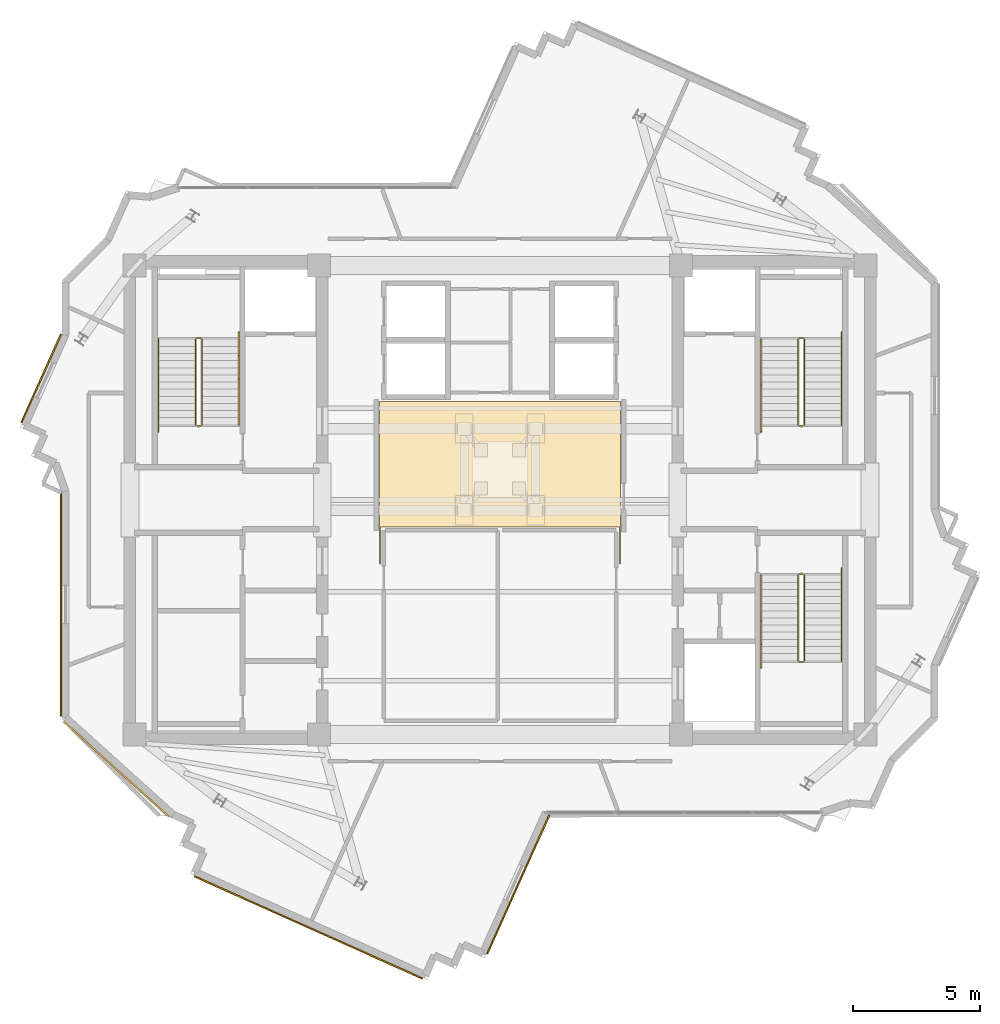
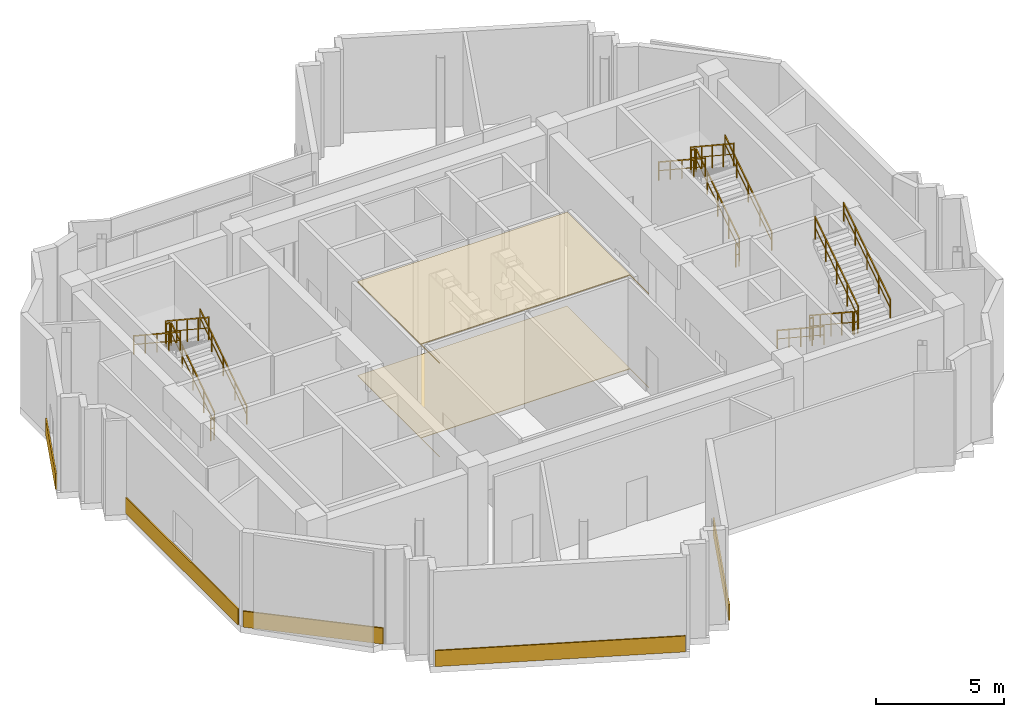
# One storey, part 10 of 11: 18 railings, 7 coverings.
"""IFC4 building model written with IfcOpenShell, lengths in metres."""

from ifc_helpers import new_model, si_unit, direction, frame, origin, origin_2d, place, context, subcontext, project, spatial, polyline, rectangle, outline, extrude, source, transform, mapped, material, layer, layer_set, type_object, element, save


model = new_model("IFC4")

# Units and contexts
model_context = context("Model", 3, precision=1e-05, world=origin(), true_north=direction((0.0, 1.0)))
body_context = subcontext(model_context, "Body", "Model", "MODEL_VIEW")
ifc_project = project(units=[si_unit("LENGTHUNIT", "METRE"), si_unit("AREAUNIT", "SQUARE_METRE"), si_unit("VOLUMEUNIT", "CUBIC_METRE"), si_unit("PLANEANGLEUNIT", "RADIAN"), si_unit("MASSUNIT", "GRAM", prefix="KILO")], contexts=[model_context])

# Site, building, storey
site_placement = place(None, origin())
site = spatial("IfcSite", under=ifc_project, at=site_placement, CompositionType="ELEMENT")
building_placement = place(site_placement, origin())
building = spatial("IfcBuilding", under=site, at=building_placement, Name="Zahravan Cultural Tower", CompositionType="ELEMENT")
storey_placement = place(building_placement, frame((0.0, 0.0, 361.050048828125)))
storey = spatial("IfcBuildingStorey", under=building, at=storey_placement, Name="L88", CompositionType="ELEMENT", Elevation=361.050048828125)

# Coverings
ifc_material_1 = material(Name="Acoustic mineral fibreboard")
ifc_layer_1 = layer(ifc_material_1, 0.0400390625)
ifc_layer_set_1 = layer_set([ifc_layer_1], Name="Acoustic mineral fibreboard")
covering_type_1 = type_object("IfcCoveringType", Name="COV-CEIL-AC20", PredefinedType="CEILING", material=ifc_layer_set_1)
covering_1_placement = place(storey_placement, frame((0.0, 0.0, 4.4599609375)))
element("IfcCovering", 1, at=covering_1_placement, inside=storey, type_object=covering_type_1, Name="L88 Acoustic Suspended Ceiling", PredefinedType="CEILING", context=body_context, shape_type="SweptSolid", body=[
    extrude(outline(polyline([(31.300048828125, 25.949951171875), (40.699951171875, 25.949951171875), (40.699951171875, 24.47998046875), (40.719970703125, 24.47998046875), (40.719970703125, 30.8701171875), (31.280029296875, 30.8701171875), (31.280029296875, 24.47998046875), (31.300048828125, 24.47998046875), (31.300048828125, 25.949951171875)])), origin(), (0.0, 0.0, 1.0), 0.0400390625),
])
ifc_material_2 = material(Name="Terrazzo flooring")
ifc_layer_2 = layer(ifc_material_2, 0.02490234375)
ifc_layer_set_2 = layer_set([ifc_layer_2], Name="Terrazzo flooring")
covering_type_2 = type_object("IfcCoveringType", Name="COV-FLR-TZ25", PredefinedType="FLOORING", material=ifc_layer_set_2)
covering_2_placement = place(storey_placement, origin())
element("IfcCovering", 2, at=covering_2_placement, inside=storey, type_object=covering_type_2, Name="L88 Polished Terrazzo Flooring", PredefinedType="FLOORING", context=body_context, shape_type="SweptSolid", body=[
    extrude(outline(polyline([(31.300048828125, 25.949951171875), (40.699951171875, 25.949951171875), (40.699951171875, 24.47998046875), (40.719970703125, 24.47998046875), (40.719970703125, 30.8701171875), (31.280029296875, 30.8701171875), (31.280029296875, 24.47998046875), (31.300048828125, 24.47998046875), (31.300048828125, 25.949951171875)])), origin(), (0.0, 0.0, 1.0), 0.02490234375),
])

# Railings
ifc_material_3 = material(Name="Steel ASTM A572 Grade 50", Category="steel")
railing_type_1 = type_object("IfcRailingType", Name="RL-STAIR-GRD1150", PredefinedType="BALUSTRADE", material=ifc_material_3)
railing_1_placement = place(storey_placement, frame((24.300048828125, 29.949951171875, 0.1845703125)))
element("IfcRailing", 3, at=railing_1_placement, inside=storey, type_object=railing_type_1, Name="L88 ST-W1 stair guard 1", PredefinedType="BALUSTRADE", context=body_context, shape_type="SweptSolid", body=[
    extrude(rectangle(XDim=0.05, YDim=0.05, at=origin_2d()), frame((0.0, 0.0, 1.0751953125), z_axis=(0.0, 0.834876476806, 0.550437342915), x_axis=(-1.0, 0.0, 0.0)), (0.0, 0.0, 1.0), 4.024658203125),
    extrude(rectangle(XDim=0.032, YDim=0.032, at=origin_2d()), frame((0.0, 0.0, 0.572021484375), z_axis=(0.0, 0.834876476806, 0.550437342915), x_axis=(-1.0, 0.0, 0.0)), (0.0, 0.0, 1.0), 4.024658203125),
    extrude(rectangle(XDim=0.04, YDim=0.04, at=origin_2d()), origin(), (0.0, 0.0, 1.0), 1.10009765625),
    extrude(rectangle(XDim=0.04, YDim=0.04, at=origin_2d()), frame((0.0, 0.840087890625, 0.5537109375)), (0.0, 0.0, 1.0), 1.10009765625),
    extrude(rectangle(XDim=0.04, YDim=0.04, at=origin_2d()), frame((0.0, 1.68017578125, 1.107666015625)), (0.0, 0.0, 1.0), 1.10009765625),
    extrude(rectangle(XDim=0.04, YDim=0.04, at=origin_2d()), frame((0.0, 2.52001953125, 1.66162109375)), (0.0, 0.0, 1.0), 1.10009765625),
    extrude(rectangle(XDim=0.04, YDim=0.04, at=origin_2d()), frame((0.0, 3.360107421875, 2.21533203125)), (0.0, 0.0, 1.0), 1.10009765625),
])
railing_2_placement = place(storey_placement, frame((24.25, 33.360107421875, 2.39990234375)))
element("IfcRailing", 4, at=railing_2_placement, inside=storey, type_object=railing_type_1, Name="L88 ST-W1 stair guard 2", PredefinedType="BALUSTRADE", context=body_context, shape_type="SweptSolid", body=[
    extrude(rectangle(XDim=0.05, YDim=0.05, at=origin_2d()), frame((0.0, 0.0, 1.0751953125), z_axis=(-1.0, 0.0, 0.0), x_axis=(0.0, -1.0, 0.0)), (0.0, 0.0, 1.0), 0.14990234375),
    extrude(rectangle(XDim=0.032, YDim=0.032, at=origin_2d()), frame((0.0, 0.0, 0.572021484375), z_axis=(-1.0, 0.0, 0.0), x_axis=(0.0, -1.0, 0.0)), (0.0, 0.0, 1.0), 0.14990234375),
    extrude(rectangle(XDim=0.04, YDim=0.04, at=origin_2d()), origin(), (0.0, 0.0, 1.0), 1.10009765625),
    extrude(rectangle(XDim=0.04, YDim=0.04, at=origin_2d()), frame((-0.14990234375, 0.0, 0.0)), (0.0, 0.0, 1.0), 1.10009765625),
])
railing_3_placement = place(storey_placement, frame((24.050048828125, 33.31005859375, 2.58447265625)))
element("IfcRailing", 5, at=railing_3_placement, inside=storey, type_object=railing_type_1, Name="L88 ST-W1 stair guard 3", PredefinedType="BALUSTRADE", context=body_context, shape_type="SweptSolid", body=[
    extrude(rectangle(XDim=0.05, YDim=0.05, at=origin_2d()), frame((0.0, 0.0, 1.0751953125), z_axis=(0.0, -0.834848600103, 0.550479622607), x_axis=(1.0, 0.0, 0.0)), (0.0, 0.0, 1.0), 4.02490234375),
    extrude(rectangle(XDim=0.032, YDim=0.032, at=origin_2d()), frame((0.0, 0.0, 0.572021484375), z_axis=(0.0, -0.834848600103, 0.550479622607), x_axis=(1.0, 0.0, 0.0)), (0.0, 0.0, 1.0), 4.02490234375),
    extrude(rectangle(XDim=0.04, YDim=0.04, at=origin_2d()), origin(), (0.0, 0.0, 1.0), 1.10009765625),
    extrude(rectangle(XDim=0.04, YDim=0.04, at=origin_2d()), frame((0.0, -0.840087890625, 0.553955078125)), (0.0, 0.0, 1.0), 1.10009765625),
    extrude(rectangle(XDim=0.04, YDim=0.04, at=origin_2d()), frame((0.0, -1.68017578125, 1.10791015625)), (0.0, 0.0, 1.0), 1.10009765625),
    extrude(rectangle(XDim=0.04, YDim=0.04, at=origin_2d()), frame((0.0, -2.52001953125, 1.66162109375)), (0.0, 0.0, 1.0), 1.10009765625),
    extrude(rectangle(XDim=0.04, YDim=0.04, at=origin_2d()), frame((0.0, -3.360107421875, 2.215576171875)), (0.0, 0.0, 1.0), 1.10009765625),
])
railing_4_placement = place(storey_placement, frame((24.25, 29.89990234375, 0.0)))
element("IfcRailing", 6, at=railing_4_placement, inside=storey, type_object=railing_type_1, Name="L88 ST-W1 stair guard 4", PredefinedType="BALUSTRADE", context=body_context, shape_type="SweptSolid", body=[
    extrude(rectangle(XDim=0.05, YDim=0.05, at=origin_2d()), frame((0.0, 0.0, 1.0751953125), z_axis=(-1.0, 0.0, 0.0), x_axis=(0.0, -1.0, 0.0)), (0.0, 0.0, 1.0), 0.14990234375),
    extrude(rectangle(XDim=0.032, YDim=0.032, at=origin_2d()), frame((0.0, 0.0, 0.572021484375), z_axis=(-1.0, 0.0, 0.0), x_axis=(0.0, -1.0, 0.0)), (0.0, 0.0, 1.0), 0.14990234375),
    extrude(rectangle(XDim=0.04, YDim=0.04, at=origin_2d()), origin(), (0.0, 0.0, 1.0), 1.10009765625),
    extrude(rectangle(XDim=0.04, YDim=0.04, at=origin_2d()), frame((-0.14990234375, 0.0, 0.0)), (0.0, 0.0, 1.0), 1.10009765625),
])
railing_5_placement = place(storey_placement, frame((47.949951171875, 29.949951171875, 0.1845703125)))
element("IfcRailing", 7, at=railing_5_placement, inside=storey, type_object=railing_type_1, Name="L88 ST-E1 stair guard 1", PredefinedType="BALUSTRADE", context=body_context, shape_type="SweptSolid", body=[
    extrude(rectangle(XDim=0.05, YDim=0.05, at=origin_2d()), frame((0.0, 0.0, 1.0751953125), z_axis=(0.0, 0.834876476806, 0.550437342915), x_axis=(-1.0, 0.0, 0.0)), (0.0, 0.0, 1.0), 4.024658203125),
    extrude(rectangle(XDim=0.032, YDim=0.032, at=origin_2d()), frame((0.0, 0.0, 0.572021484375), z_axis=(0.0, 0.834876476806, 0.550437342915), x_axis=(-1.0, 0.0, 0.0)), (0.0, 0.0, 1.0), 4.024658203125),
    extrude(rectangle(XDim=0.04, YDim=0.04, at=origin_2d()), origin(), (0.0, 0.0, 1.0), 1.10009765625),
    extrude(rectangle(XDim=0.04, YDim=0.04, at=origin_2d()), frame((0.0, 0.840087890625, 0.5537109375)), (0.0, 0.0, 1.0), 1.10009765625),
    extrude(rectangle(XDim=0.04, YDim=0.04, at=origin_2d()), frame((0.0, 1.68017578125, 1.107666015625)), (0.0, 0.0, 1.0), 1.10009765625),
    extrude(rectangle(XDim=0.04, YDim=0.04, at=origin_2d()), frame((0.0, 2.52001953125, 1.66162109375)), (0.0, 0.0, 1.0), 1.10009765625),
    extrude(rectangle(XDim=0.04, YDim=0.04, at=origin_2d()), frame((0.0, 3.360107421875, 2.21533203125)), (0.0, 0.0, 1.0), 1.10009765625),
])
railing_6_placement = place(storey_placement, frame((47.89990234375, 33.360107421875, 2.39990234375)))
element("IfcRailing", 8, at=railing_6_placement, inside=storey, type_object=railing_type_1, Name="L88 ST-E1 stair guard 2", PredefinedType="BALUSTRADE", context=body_context, shape_type="SweptSolid", body=[
    extrude(rectangle(XDim=0.05, YDim=0.05, at=origin_2d()), frame((0.0, 0.0, 1.0751953125), z_axis=(-1.0, 0.0, 0.0), x_axis=(0.0, -1.0, 0.0)), (0.0, 0.0, 1.0), 0.14990234375),
    extrude(rectangle(XDim=0.032, YDim=0.032, at=origin_2d()), frame((0.0, 0.0, 0.572021484375), z_axis=(-1.0, 0.0, 0.0), x_axis=(0.0, -1.0, 0.0)), (0.0, 0.0, 1.0), 0.14990234375),
    extrude(rectangle(XDim=0.04, YDim=0.04, at=origin_2d()), origin(), (0.0, 0.0, 1.0), 1.10009765625),
    extrude(rectangle(XDim=0.04, YDim=0.04, at=origin_2d()), frame((-0.14990234375, 0.0, 0.0)), (0.0, 0.0, 1.0), 1.10009765625),
])
railing_7_placement = place(storey_placement, frame((47.699951171875, 33.31005859375, 2.58447265625)))
element("IfcRailing", 9, at=railing_7_placement, inside=storey, type_object=railing_type_1, Name="L88 ST-E1 stair guard 3", PredefinedType="BALUSTRADE", context=body_context, shape_type="SweptSolid", body=[
    extrude(rectangle(XDim=0.05, YDim=0.05, at=origin_2d()), frame((0.0, 0.0, 1.0751953125), z_axis=(0.0, -0.834848600103, 0.550479622607), x_axis=(1.0, 0.0, 0.0)), (0.0, 0.0, 1.0), 4.02490234375),
    extrude(rectangle(XDim=0.032, YDim=0.032, at=origin_2d()), frame((0.0, 0.0, 0.572021484375), z_axis=(0.0, -0.834848600103, 0.550479622607), x_axis=(1.0, 0.0, 0.0)), (0.0, 0.0, 1.0), 4.02490234375),
    extrude(rectangle(XDim=0.04, YDim=0.04, at=origin_2d()), origin(), (0.0, 0.0, 1.0), 1.10009765625),
    extrude(rectangle(XDim=0.04, YDim=0.04, at=origin_2d()), frame((0.0, -0.840087890625, 0.553955078125)), (0.0, 0.0, 1.0), 1.10009765625),
    extrude(rectangle(XDim=0.04, YDim=0.04, at=origin_2d()), frame((0.0, -1.68017578125, 1.10791015625)), (0.0, 0.0, 1.0), 1.10009765625),
    extrude(rectangle(XDim=0.04, YDim=0.04, at=origin_2d()), frame((0.0, -2.52001953125, 1.66162109375)), (0.0, 0.0, 1.0), 1.10009765625),
    extrude(rectangle(XDim=0.04, YDim=0.04, at=origin_2d()), frame((0.0, -3.360107421875, 2.215576171875)), (0.0, 0.0, 1.0), 1.10009765625),
])
railing_8_placement = place(storey_placement, frame((47.89990234375, 29.89990234375, 0.0)))
element("IfcRailing", 10, at=railing_8_placement, inside=storey, type_object=railing_type_1, Name="L88 ST-E1 stair guard 4", PredefinedType="BALUSTRADE", context=body_context, shape_type="SweptSolid", body=[
    extrude(rectangle(XDim=0.05, YDim=0.05, at=origin_2d()), frame((0.0, 0.0, 1.0751953125), z_axis=(-1.0, 0.0, 0.0), x_axis=(0.0, -1.0, 0.0)), (0.0, 0.0, 1.0), 0.14990234375),
    extrude(rectangle(XDim=0.032, YDim=0.032, at=origin_2d()), frame((0.0, 0.0, 0.572021484375), z_axis=(-1.0, 0.0, 0.0), x_axis=(0.0, -1.0, 0.0)), (0.0, 0.0, 1.0), 0.14990234375),
    extrude(rectangle(XDim=0.04, YDim=0.04, at=origin_2d()), origin(), (0.0, 0.0, 1.0), 1.10009765625),
    extrude(rectangle(XDim=0.04, YDim=0.04, at=origin_2d()), frame((-0.14990234375, 0.0, 0.0)), (0.0, 0.0, 1.0), 1.10009765625),
])
railing_9_placement = place(storey_placement, frame((47.699951171875, 24.050048828125, 0.1845703125)))
element("IfcRailing", 11, at=railing_9_placement, inside=storey, type_object=railing_type_1, Name="L88 ST-E2 stair guard 1", PredefinedType="BALUSTRADE", context=body_context, shape_type="SweptSolid", body=[
    extrude(rectangle(XDim=0.05, YDim=0.05, at=origin_2d()), frame((0.0, 0.0, 1.0751953125), z_axis=(0.0, -0.834876476806, 0.550437342915), x_axis=(1.0, 0.0, 0.0)), (0.0, 0.0, 1.0), 4.024658203125),
    extrude(rectangle(XDim=0.032, YDim=0.032, at=origin_2d()), frame((0.0, 0.0, 0.572021484375), z_axis=(0.0, -0.834876476806, 0.550437342915), x_axis=(1.0, 0.0, 0.0)), (0.0, 0.0, 1.0), 4.024658203125),
    extrude(rectangle(XDim=0.04, YDim=0.04, at=origin_2d()), origin(), (0.0, 0.0, 1.0), 1.10009765625),
    extrude(rectangle(XDim=0.04, YDim=0.04, at=origin_2d()), frame((0.0, -0.840087890625, 0.5537109375)), (0.0, 0.0, 1.0), 1.10009765625),
    extrude(rectangle(XDim=0.04, YDim=0.04, at=origin_2d()), frame((0.0, -1.68017578125, 1.107666015625)), (0.0, 0.0, 1.0), 1.10009765625),
    extrude(rectangle(XDim=0.04, YDim=0.04, at=origin_2d()), frame((0.0, -2.52001953125, 1.66162109375)), (0.0, 0.0, 1.0), 1.10009765625),
    extrude(rectangle(XDim=0.04, YDim=0.04, at=origin_2d()), frame((0.0, -3.360107421875, 2.21533203125)), (0.0, 0.0, 1.0), 1.10009765625),
])
railing_10_placement = place(storey_placement, frame((47.75, 20.639892578125, 2.39990234375)))
element("IfcRailing", 12, at=railing_10_placement, inside=storey, type_object=railing_type_1, Name="L88 ST-E2 stair guard 2", PredefinedType="BALUSTRADE", context=body_context, shape_type="SweptSolid", body=[
    extrude(rectangle(XDim=0.05, YDim=0.05, at=origin_2d()), frame((0.0, 0.0, 1.0751953125), z_axis=(1.0, 0.0, 0.0), x_axis=(0.0, 1.0, 0.0)), (0.0, 0.0, 1.0), 0.14990234375),
    extrude(rectangle(XDim=0.032, YDim=0.032, at=origin_2d()), frame((0.0, 0.0, 0.572021484375), z_axis=(1.0, 0.0, 0.0), x_axis=(0.0, 1.0, 0.0)), (0.0, 0.0, 1.0), 0.14990234375),
    extrude(rectangle(XDim=0.04, YDim=0.04, at=origin_2d()), origin(), (0.0, 0.0, 1.0), 1.10009765625),
    extrude(rectangle(XDim=0.04, YDim=0.04, at=origin_2d()), frame((0.14990234375, 0.0, 0.0)), (0.0, 0.0, 1.0), 1.10009765625),
])
railing_11_placement = place(storey_placement, frame((47.949951171875, 20.68994140625, 2.58447265625)))
element("IfcRailing", 13, at=railing_11_placement, inside=storey, type_object=railing_type_1, Name="L88 ST-E2 stair guard 3", PredefinedType="BALUSTRADE", context=body_context, shape_type="SweptSolid", body=[
    extrude(rectangle(XDim=0.05, YDim=0.05, at=origin_2d()), frame((0.0, 0.0, 1.0751953125), z_axis=(0.0, 0.834848600103, 0.550479622607), x_axis=(-1.0, 0.0, 0.0)), (0.0, 0.0, 1.0), 4.02490234375),
    extrude(rectangle(XDim=0.032, YDim=0.032, at=origin_2d()), frame((0.0, 0.0, 0.572021484375), z_axis=(0.0, 0.834848600103, 0.550479622607), x_axis=(-1.0, 0.0, 0.0)), (0.0, 0.0, 1.0), 4.02490234375),
    extrude(rectangle(XDim=0.04, YDim=0.04, at=origin_2d()), origin(), (0.0, 0.0, 1.0), 1.10009765625),
    extrude(rectangle(XDim=0.04, YDim=0.04, at=origin_2d()), frame((0.0, 0.840087890625, 0.553955078125)), (0.0, 0.0, 1.0), 1.10009765625),
    extrude(rectangle(XDim=0.04, YDim=0.04, at=origin_2d()), frame((0.0, 1.68017578125, 1.10791015625)), (0.0, 0.0, 1.0), 1.10009765625),
    extrude(rectangle(XDim=0.04, YDim=0.04, at=origin_2d()), frame((0.0, 2.52001953125, 1.66162109375)), (0.0, 0.0, 1.0), 1.10009765625),
    extrude(rectangle(XDim=0.04, YDim=0.04, at=origin_2d()), frame((0.0, 3.360107421875, 2.215576171875)), (0.0, 0.0, 1.0), 1.10009765625),
])
railing_12_placement = place(storey_placement, frame((47.75, 24.10009765625, 0.0)))
element("IfcRailing", 14, at=railing_12_placement, inside=storey, type_object=railing_type_1, Name="L88 ST-E2 stair guard 4", PredefinedType="BALUSTRADE", context=body_context, shape_type="SweptSolid", body=[
    extrude(rectangle(XDim=0.05, YDim=0.05, at=origin_2d()), frame((0.0, 0.0, 1.0751953125), z_axis=(1.0, 0.0, 0.0), x_axis=(0.0, 1.0, 0.0)), (0.0, 0.0, 1.0), 0.14990234375),
    extrude(rectangle(XDim=0.032, YDim=0.032, at=origin_2d()), frame((0.0, 0.0, 0.572021484375), z_axis=(1.0, 0.0, 0.0), x_axis=(0.0, 1.0, 0.0)), (0.0, 0.0, 1.0), 0.14990234375),
    extrude(rectangle(XDim=0.04, YDim=0.04, at=origin_2d()), origin(), (0.0, 0.0, 1.0), 1.10009765625),
    extrude(rectangle(XDim=0.04, YDim=0.04, at=origin_2d()), frame((0.14990234375, 0.0, 0.0)), (0.0, 0.0, 1.0), 1.10009765625),
])
railing_type_2 = type_object("IfcRailingType", Name="RL-STAIR-HR900", PredefinedType="HANDRAIL", material=ifc_material_3)
railing_13_placement = place(storey_placement, frame((25.75, 29.949951171875, 0.1845703125)))
element("IfcRailing", 15, at=railing_13_placement, inside=storey, type_object=railing_type_2, Name="L88 ST-W1 stair handrail 1", PredefinedType="HANDRAIL", context=body_context, shape_type="SweptSolid", body=[
    extrude(rectangle(XDim=0.05, YDim=0.05, at=origin_2d()), frame((0.0, 0.0, 0.875), z_axis=(0.0, 0.83488217925, 0.55042869363), x_axis=(-1.0, 0.0, 0.0)), (0.0, 0.0, 1.0), 4.360107421875),
    extrude(rectangle(XDim=0.032, YDim=0.032, at=origin_2d()), frame((0.0, 0.0, 0.468017578125), z_axis=(0.0, 0.83488217925, 0.55042869363), x_axis=(-1.0, 0.0, 0.0)), (0.0, 0.0, 1.0), 4.360107421875),
    extrude(rectangle(XDim=0.04, YDim=0.04, at=origin_2d()), origin(), (0.0, 0.0, 1.0), 0.89990234375),
    extrude(rectangle(XDim=0.04, YDim=0.04, at=origin_2d()), frame((0.0, 0.91015625, 0.60009765625)), (0.0, 0.0, 1.0), 0.89990234375),
    extrude(rectangle(XDim=0.04, YDim=0.04, at=origin_2d()), frame((0.0, 1.820068359375, 1.199951171875)), (0.0, 0.0, 1.0), 0.89990234375),
    extrude(rectangle(XDim=0.04, YDim=0.04, at=origin_2d()), frame((0.0, 2.72998046875, 1.7998046875)), (0.0, 0.0, 1.0), 0.89990234375),
    extrude(rectangle(XDim=0.04, YDim=0.04, at=origin_2d()), frame((0.0, 3.64013671875, 2.39990234375)), (0.0, 0.0, 1.0), 0.89990234375),
])
railing_14_placement = place(storey_placement, frame((22.60009765625, 33.31005859375, 2.58447265625)))
element("IfcRailing", 16, at=railing_14_placement, inside=storey, type_object=railing_type_2, Name="L88 ST-W1 stair handrail 2", PredefinedType="HANDRAIL", context=body_context, shape_type="SweptSolid", body=[
    extrude(rectangle(XDim=0.05, YDim=0.05, at=origin_2d()), frame((0.0, 0.0, 0.875), z_axis=(0.0, -0.834856447115, 0.55046772177), x_axis=(1.0, 0.0, 0.0)), (0.0, 0.0, 1.0), 4.360107421875),
    extrude(rectangle(XDim=0.032, YDim=0.032, at=origin_2d()), frame((0.0, 0.0, 0.468017578125), z_axis=(0.0, -0.834856447115, 0.55046772177), x_axis=(1.0, 0.0, 0.0)), (0.0, 0.0, 1.0), 4.360107421875),
    extrude(rectangle(XDim=0.04, YDim=0.04, at=origin_2d()), origin(), (0.0, 0.0, 1.0), 0.89990234375),
    extrude(rectangle(XDim=0.04, YDim=0.04, at=origin_2d()), frame((0.0, -0.91015625, 0.60009765625)), (0.0, 0.0, 1.0), 0.89990234375),
    extrude(rectangle(XDim=0.04, YDim=0.04, at=origin_2d()), frame((0.0, -1.820068359375, 1.2001953125)), (0.0, 0.0, 1.0), 0.89990234375),
    extrude(rectangle(XDim=0.04, YDim=0.04, at=origin_2d()), frame((0.0, -2.72998046875, 1.800048828125)), (0.0, 0.0, 1.0), 0.89990234375),
    extrude(rectangle(XDim=0.04, YDim=0.04, at=origin_2d()), frame((0.0, -3.64013671875, 2.400146484375)), (0.0, 0.0, 1.0), 0.89990234375),
])
railing_15_placement = place(storey_placement, frame((49.39990234375, 29.949951171875, 0.1845703125)))
element("IfcRailing", 17, at=railing_15_placement, inside=storey, type_object=railing_type_2, Name="L88 ST-E1 stair handrail 1", PredefinedType="HANDRAIL", context=body_context, shape_type="SweptSolid", body=[
    extrude(rectangle(XDim=0.05, YDim=0.05, at=origin_2d()), frame((0.0, 0.0, 0.875), z_axis=(0.0, 0.83488217925, 0.55042869363), x_axis=(-1.0, 0.0, 0.0)), (0.0, 0.0, 1.0), 4.360107421875),
    extrude(rectangle(XDim=0.032, YDim=0.032, at=origin_2d()), frame((0.0, 0.0, 0.468017578125), z_axis=(0.0, 0.83488217925, 0.55042869363), x_axis=(-1.0, 0.0, 0.0)), (0.0, 0.0, 1.0), 4.360107421875),
    extrude(rectangle(XDim=0.04, YDim=0.04, at=origin_2d()), origin(), (0.0, 0.0, 1.0), 0.89990234375),
    extrude(rectangle(XDim=0.04, YDim=0.04, at=origin_2d()), frame((0.0, 0.91015625, 0.60009765625)), (0.0, 0.0, 1.0), 0.89990234375),
    extrude(rectangle(XDim=0.04, YDim=0.04, at=origin_2d()), frame((0.0, 1.820068359375, 1.199951171875)), (0.0, 0.0, 1.0), 0.89990234375),
    extrude(rectangle(XDim=0.04, YDim=0.04, at=origin_2d()), frame((0.0, 2.72998046875, 1.7998046875)), (0.0, 0.0, 1.0), 0.89990234375),
    extrude(rectangle(XDim=0.04, YDim=0.04, at=origin_2d()), frame((0.0, 3.64013671875, 2.39990234375)), (0.0, 0.0, 1.0), 0.89990234375),
])
railing_16_placement = place(storey_placement, frame((46.25, 33.31005859375, 2.58447265625)))
element("IfcRailing", 18, at=railing_16_placement, inside=storey, type_object=railing_type_2, Name="L88 ST-E1 stair handrail 2", PredefinedType="HANDRAIL", context=body_context, shape_type="SweptSolid", body=[
    extrude(rectangle(XDim=0.05, YDim=0.05, at=origin_2d()), frame((0.0, 0.0, 0.875), z_axis=(0.0, -0.834856447115, 0.55046772177), x_axis=(1.0, 0.0, 0.0)), (0.0, 0.0, 1.0), 4.360107421875),
    extrude(rectangle(XDim=0.032, YDim=0.032, at=origin_2d()), frame((0.0, 0.0, 0.468017578125), z_axis=(0.0, -0.834856447115, 0.55046772177), x_axis=(1.0, 0.0, 0.0)), (0.0, 0.0, 1.0), 4.360107421875),
    extrude(rectangle(XDim=0.04, YDim=0.04, at=origin_2d()), origin(), (0.0, 0.0, 1.0), 0.89990234375),
    extrude(rectangle(XDim=0.04, YDim=0.04, at=origin_2d()), frame((0.0, -0.91015625, 0.60009765625)), (0.0, 0.0, 1.0), 0.89990234375),
    extrude(rectangle(XDim=0.04, YDim=0.04, at=origin_2d()), frame((0.0, -1.820068359375, 1.2001953125)), (0.0, 0.0, 1.0), 0.89990234375),
    extrude(rectangle(XDim=0.04, YDim=0.04, at=origin_2d()), frame((0.0, -2.72998046875, 1.800048828125)), (0.0, 0.0, 1.0), 0.89990234375),
    extrude(rectangle(XDim=0.04, YDim=0.04, at=origin_2d()), frame((0.0, -3.64013671875, 2.400146484375)), (0.0, 0.0, 1.0), 0.89990234375),
])
railing_17_placement = place(storey_placement, frame((46.25, 24.050048828125, 0.1845703125)))
element("IfcRailing", 19, at=railing_17_placement, inside=storey, type_object=railing_type_2, Name="L88 ST-E2 stair handrail 1", PredefinedType="HANDRAIL", context=body_context, shape_type="SweptSolid", body=[
    extrude(rectangle(XDim=0.05, YDim=0.05, at=origin_2d()), frame((0.0, 0.0, 0.875), z_axis=(0.0, -0.83488217925, 0.55042869363), x_axis=(1.0, 0.0, 0.0)), (0.0, 0.0, 1.0), 4.360107421875),
    extrude(rectangle(XDim=0.032, YDim=0.032, at=origin_2d()), frame((0.0, 0.0, 0.468017578125), z_axis=(0.0, -0.83488217925, 0.55042869363), x_axis=(1.0, 0.0, 0.0)), (0.0, 0.0, 1.0), 4.360107421875),
    extrude(rectangle(XDim=0.04, YDim=0.04, at=origin_2d()), origin(), (0.0, 0.0, 1.0), 0.89990234375),
    extrude(rectangle(XDim=0.04, YDim=0.04, at=origin_2d()), frame((0.0, -0.91015625, 0.60009765625)), (0.0, 0.0, 1.0), 0.89990234375),
    extrude(rectangle(XDim=0.04, YDim=0.04, at=origin_2d()), frame((0.0, -1.820068359375, 1.199951171875)), (0.0, 0.0, 1.0), 0.89990234375),
    extrude(rectangle(XDim=0.04, YDim=0.04, at=origin_2d()), frame((0.0, -2.72998046875, 1.7998046875)), (0.0, 0.0, 1.0), 0.89990234375),
    extrude(rectangle(XDim=0.04, YDim=0.04, at=origin_2d()), frame((0.0, -3.64013671875, 2.39990234375)), (0.0, 0.0, 1.0), 0.89990234375),
])
railing_18_placement = place(storey_placement, frame((49.39990234375, 20.68994140625, 2.58447265625)))
element("IfcRailing", 20, at=railing_18_placement, inside=storey, type_object=railing_type_2, Name="L88 ST-E2 stair handrail 2", PredefinedType="HANDRAIL", context=body_context, shape_type="SweptSolid", body=[
    extrude(rectangle(XDim=0.05, YDim=0.05, at=origin_2d()), frame((0.0, 0.0, 0.875), z_axis=(0.0, 0.834856447115, 0.55046772177), x_axis=(-1.0, 0.0, 0.0)), (0.0, 0.0, 1.0), 4.360107421875),
    extrude(rectangle(XDim=0.032, YDim=0.032, at=origin_2d()), frame((0.0, 0.0, 0.468017578125), z_axis=(0.0, 0.834856447115, 0.55046772177), x_axis=(-1.0, 0.0, 0.0)), (0.0, 0.0, 1.0), 4.360107421875),
    extrude(rectangle(XDim=0.04, YDim=0.04, at=origin_2d()), origin(), (0.0, 0.0, 1.0), 0.89990234375),
    extrude(rectangle(XDim=0.04, YDim=0.04, at=origin_2d()), frame((0.0, 0.91015625, 0.60009765625)), (0.0, 0.0, 1.0), 0.89990234375),
    extrude(rectangle(XDim=0.04, YDim=0.04, at=origin_2d()), frame((0.0, 1.820068359375, 1.2001953125)), (0.0, 0.0, 1.0), 0.89990234375),
    extrude(rectangle(XDim=0.04, YDim=0.04, at=origin_2d()), frame((0.0, 2.72998046875, 1.800048828125)), (0.0, 0.0, 1.0), 0.89990234375),
    extrude(rectangle(XDim=0.04, YDim=0.04, at=origin_2d()), frame((0.0, 3.64013671875, 2.400146484375)), (0.0, 0.0, 1.0), 0.89990234375),
])

# Coverings
ifc_material_4 = material(Name="Terracotta ceramic cladding", Category="masonry")
ifc_layer_3 = layer(ifc_material_4, 0.06005859375)
ifc_layer_set_3 = layer_set([ifc_layer_3], Name="Terracotta ceramic cladding")
covering_type_3 = type_object("IfcCoveringType", Name="COV-CLAD-TC60", PredefinedType="CLADDING", material=ifc_layer_set_3)
shared_shape_1 = source(origin(), body_context, "Body", "SweptSolid", [
    extrude(rectangle(XDim=9.820068359375, YDim=0.06005859375, at=origin_2d()), origin(), (0.0, 0.0, 1.0), 0.760009765625),
])
covering_3_placement = place(storey_placement, frame((28.483154296875, 10.221923828125, 0.02001953125), z_axis=(0.0, 0.0, 1.0), x_axis=(-0.912598844378, 0.408856147368, 0.0)))
element("IfcCovering", 21, at=covering_3_placement, inside=storey, type_object=covering_type_3, Name="L88 Terracotta Spandrel Cladding 40", PredefinedType="CLADDING", context=body_context, shape_type="MappedRepresentation", body=[
    mapped(shared_shape_1, transform((0.0, 0.0, 0.0), x_axis=(1.0, 0.0, 0.0), y_axis=(0.0, 1.0, 0.0), z_axis=(0.0, 0.0, 1.0), scale=1.0)),
])
shared_shape_2 = source(origin(), body_context, "Body", "SweptSolid", [
    extrude(rectangle(XDim=5.592041015625, YDim=0.06005859375, at=origin_2d()), origin(), (0.0, 0.0, 1.0), 0.760009765625),
])
covering_4_placement = place(storey_placement, frame((20.943359375, 16.429931640625, 0.02001953125), z_axis=(0.0, 0.0, 1.0), x_axis=(-0.742759310675, 0.669558516043, 0.0)))
element("IfcCovering", 22, at=covering_4_placement, inside=storey, type_object=covering_type_3, Name="L88 Terracotta Spandrel Cladding 01", PredefinedType="CLADDING", context=body_context, shape_type="MappedRepresentation", body=[
    mapped(shared_shape_2, transform((0.0, 0.0, 0.0), x_axis=(1.0, 0.0, 0.0), y_axis=(0.0, 1.0, 0.0), z_axis=(0.0, 0.0, 1.0), scale=1.0)),
])
shared_shape_3 = source(origin(), body_context, "Body", "SweptSolid", [
    extrude(rectangle(XDim=8.787353515625, YDim=0.06005859375, at=origin_2d()), origin(), (0.0, 0.0, 1.0), 0.760009765625),
])
covering_5_placement = place(storey_placement, frame((18.77490234375, 22.901611328125, 0.02001953125), z_axis=(0.0, 0.0, 1.0), x_axis=(0.0, 1.0, 0.0)))
element("IfcCovering", 23, at=covering_5_placement, inside=storey, type_object=covering_type_3, Name="L88 Terracotta Spandrel Cladding 02", PredefinedType="CLADDING", context=body_context, shape_type="MappedRepresentation", body=[
    mapped(shared_shape_3, transform((0.0, 0.0, 0.0), x_axis=(1.0, 0.0, 0.0), y_axis=(0.0, 1.0, 0.0), z_axis=(0.0, 0.0, 1.0), scale=1.0)),
])
shared_shape_4 = source(origin(), body_context, "Body", "SweptSolid", [
    extrude(rectangle(XDim=3.802490234375, YDim=0.06005859375, at=origin_2d()), origin(), (0.0, 0.0, 1.0), 0.760009765625),
])
covering_6_placement = place(storey_placement, frame((17.99169921875, 31.77099609375, 0.02001953125), z_axis=(0.0, 0.0, 1.0), x_axis=(0.408856147368, 0.912598844378, 0.0)))
element("IfcCovering", 24, at=covering_6_placement, inside=storey, type_object=covering_type_3, Name="L88 Terracotta Spandrel Cladding 07", PredefinedType="CLADDING", context=body_context, shape_type="MappedRepresentation", body=[
    mapped(shared_shape_4, transform((0.0, 0.0, 0.0), x_axis=(1.0, 0.0, 0.0), y_axis=(0.0, 1.0, 0.0), z_axis=(0.0, 0.0, 1.0), scale=1.0)),
])
shared_shape_5 = source(origin(), body_context, "Body", "SweptSolid", [
    extrude(rectangle(XDim=5.969482421875, YDim=0.06005859375, at=origin_2d()), origin(), (0.0, 0.0, 1.0), 0.760009765625),
])
covering_7_placement = place(storey_placement, frame((36.71484375, 11.903076171875, 0.02001953125), z_axis=(0.0, 0.0, 1.0), x_axis=(-0.408856147368, -0.912598844378, 0.0)))
element("IfcCovering", 25, at=covering_7_placement, inside=storey, type_object=covering_type_3, Name="L88 Terracotta Spandrel Cladding 35", PredefinedType="CLADDING", context=body_context, shape_type="MappedRepresentation", body=[
    mapped(shared_shape_5, transform((0.0, 0.0, 0.0), x_axis=(1.0, 0.0, 0.0), y_axis=(0.0, 1.0, 0.0), z_axis=(0.0, 0.0, 1.0), scale=1.0)),
])

save(model, "model.ifc")
